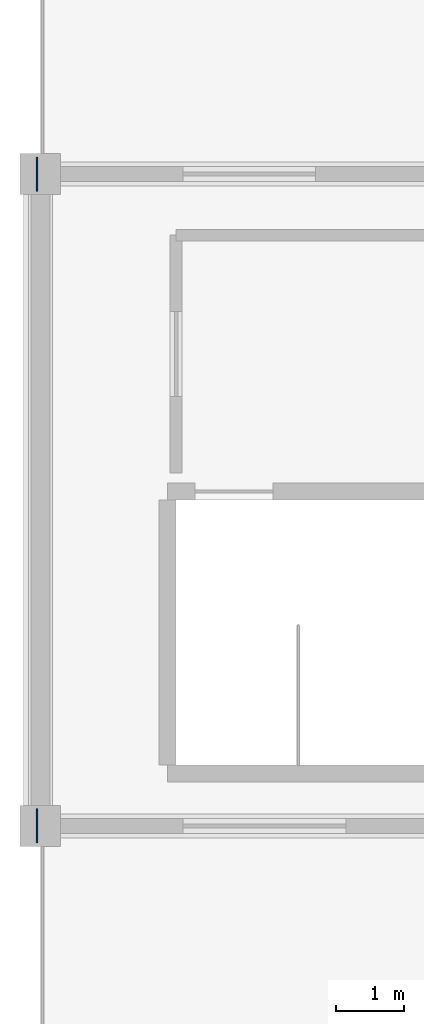
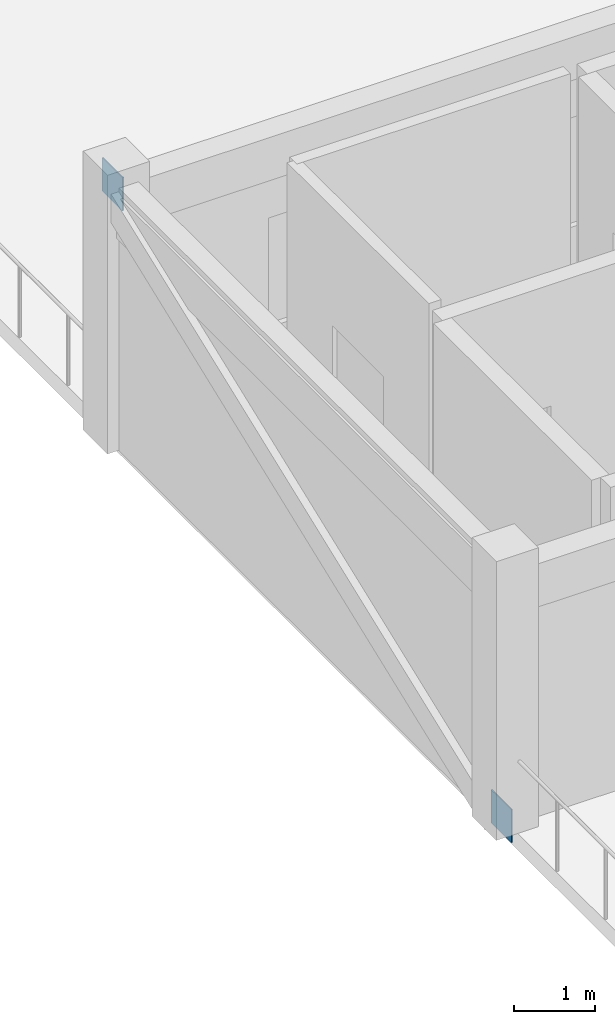
# One storey, part 23 of 28: 2 plates.
"""IFC4 building model written with IfcOpenShell, lengths in metres."""

from ifc_helpers import new_model, si_unit, direction, frame, origin, origin_2d, place, context, subcontext, project, spatial, rectangle, extrude, material, layer, layer_set, type_object, element, save


model = new_model("IFC4")

# Units and contexts
model_context = context("Model", 3, precision=1e-05, world=origin(), true_north=direction((0.0, 1.0)))
body_context = subcontext(model_context, "Body", "Model", "MODEL_VIEW")
ifc_project = project(units=[si_unit("LENGTHUNIT", "METRE"), si_unit("AREAUNIT", "SQUARE_METRE"), si_unit("VOLUMEUNIT", "CUBIC_METRE"), si_unit("PLANEANGLEUNIT", "RADIAN"), si_unit("MASSUNIT", "GRAM", prefix="KILO")], contexts=[model_context])

# Site, building, storey
site_placement = place(None, origin())
site = spatial("IfcSite", under=ifc_project, at=site_placement, CompositionType="ELEMENT")
building_placement = place(site_placement, origin())
building = spatial("IfcBuilding", under=site, at=building_placement, Name="Pandanus Reach Market Hall", CompositionType="ELEMENT")
storey_placement = place(building_placement, frame((0.0, 0.0, 18.60009765625)))
storey = spatial("IfcBuildingStorey", under=building, at=storey_placement, Name="L04", CompositionType="ELEMENT", Elevation=18.60009765625)

# Plates
ifc_material = material(Name="Steel Grade 350 (350 MPa)", Category="steel")
ifc_layer = layer(ifc_material, 0.02001953125, Name="GS-PL20")
ifc_layer_set = layer_set([ifc_layer], Name="Steel Grade 350 (350 MPa)")
plate_type = type_object("IfcPlateType", Name="GS-PL20", PredefinedType="SHEET", material=ifc_layer_set)
for number, where, z_axis, x_axis, name in (
    (1, (143.949951171875, 48.0, -0.150146484375), (0.0, 0.0, 1.0), (1.0, 0.0, 0.0), "Diagrid rib end anchorage plate GS-PL20 12A"),
    (2, (143.949951171875, 57.60009765625, 3.5498046875), (0.0, 0.0, 1.0), (1.0, 0.0, 0.0), "Diagrid rib end anchorage plate GS-PL20 12B"),
):
    element("IfcPlate", number, at=place(storey_placement, frame(where, z_axis=z_axis, x_axis=x_axis)), inside=storey, type_object=plate_type, Name=name, PredefinedType="SHEET", context=body_context, shape_type="SweptSolid", body=[
        extrude(rectangle(XDim=0.02001953125, YDim=0.5, at=origin_2d()), origin(), (0.0, 0.0, 1.0), 0.5),
    ])

save(model, "model.ifc")
